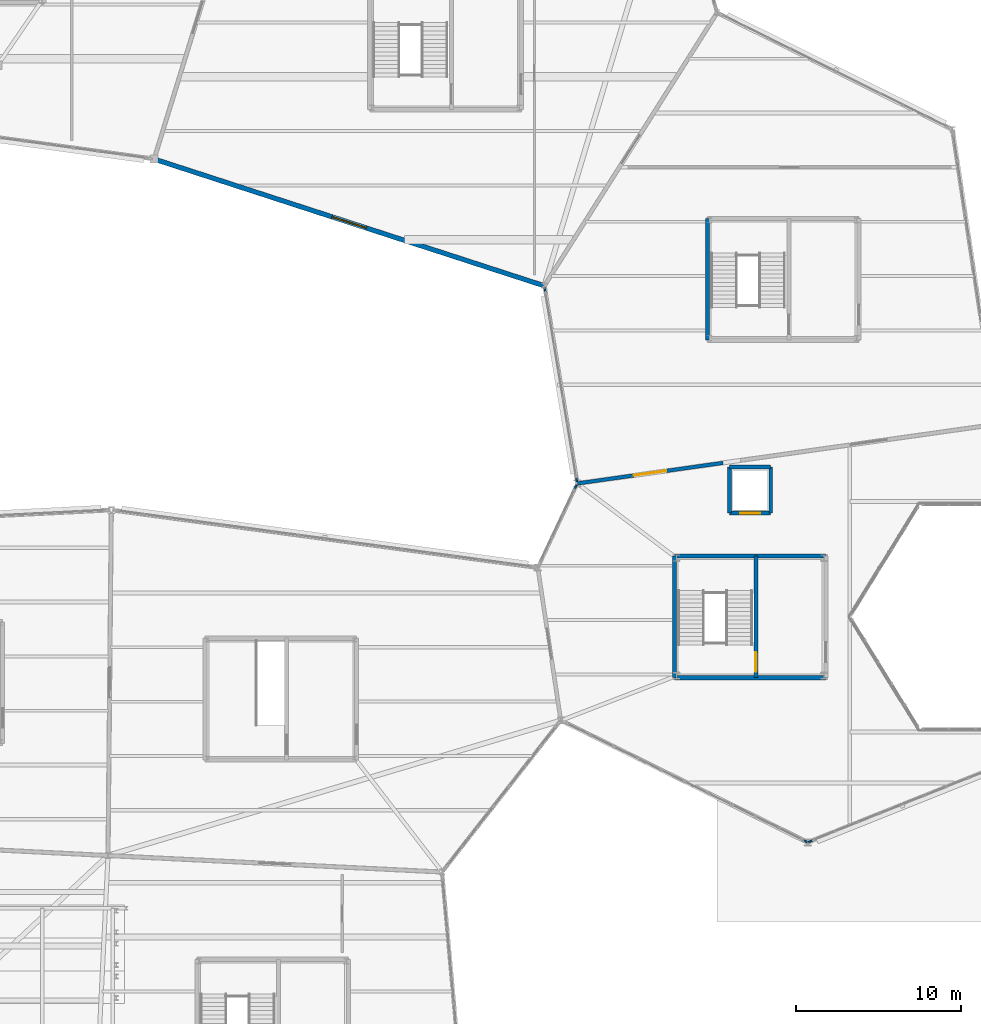
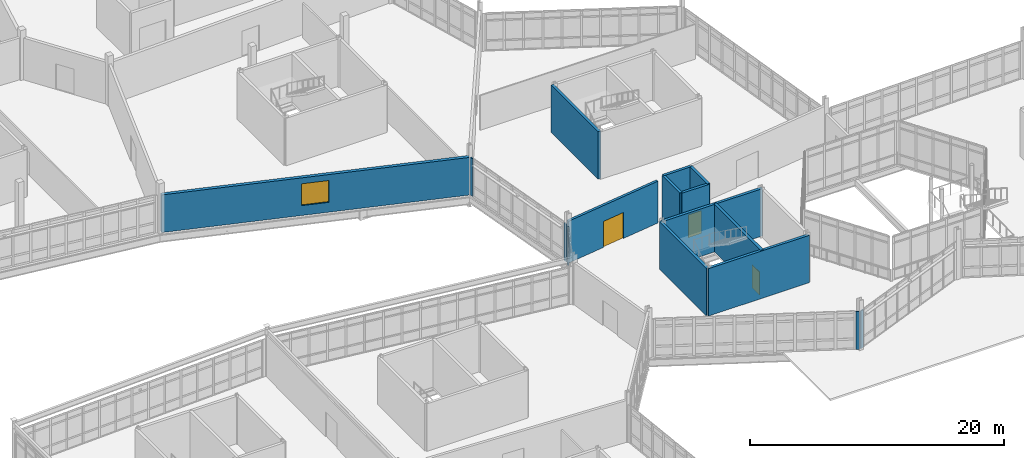
# One storey, part 107 of 134: 16 walls, 3 doors, 1 window, 4 openings.
"""IFC4 building model written with IfcOpenShell, lengths in metres."""

import ifcopenshell
import ifcopenshell.guid

model = None  # the IFC model being written
_history = None  # IfcOwnerHistory: only IFC2X3 demands one
_inside = {}  # id of a spatial element -> (the spatial element, [elements in it])
_under = {}  # id of a project, library or spatial element -> (it, [spatial elements below it])
_declared = {}  # id of a project -> (the project, [libraries it declares])
_typed = {}  # id of a type object -> (the type object, [elements of that type])
_made_of = {}  # id of a material, layer set ... -> (it, [elements and type objects made of it])


def new_model(schema):
    """Start an empty IFC model of exactly this schema.

    Asked for "IFC4X3", IfcOpenShell would pick the latest addendum, in which some entities
    have other attributes; the version numbers below select the first issue.
    IFC2X3 requires an IfcOwnerHistory on every rooted entity: one is made here for all.
    """
    global model, _history
    if schema == "IFC4X3":
        model = ifcopenshell.file(schema_version=(4, 3, 0, 0))
    else:
        model = ifcopenshell.file(schema=schema)
    _inside.clear()
    _under.clear()
    _declared.clear()
    _typed.clear()
    _made_of.clear()
    _history = None
    if model.schema == "IFC2X3":
        org = make("IfcOrganization", Name="unknown")
        user = make(
            "IfcPersonAndOrganization",
            ThePerson=make("IfcPerson", FamilyName="unknown"),
            TheOrganization=org,
        )
        app = make(
            "IfcApplication",
            ApplicationDeveloper=org,
            Version="unknown",
            ApplicationFullName="unknown",
            ApplicationIdentifier="unknown",
        )
        _history = make(
            "IfcOwnerHistory",
            OwningUser=user,
            OwningApplication=app,
            ChangeAction="ADDED",
            CreationDate=0,
        )
    return model


def make(cls, **values):
    """One entity of the class cls with the attributes given. An attribute that is None is left unset."""
    return model.create_entity(
        cls, **{name: value for name, value in values.items() if value is not None}
    )


def rooted(cls, **values):
    """An entity with a GlobalId (a new one), such as an element, a storey or a relation."""
    return make(cls, GlobalId=ifcopenshell.guid.new(), OwnerHistory=_history, **values)


def si_unit(unit_type, name, prefix=None):
    """IfcSIUnit, for example si_unit("LENGTHUNIT", "METRE", prefix="MILLI")."""
    return make("IfcSIUnit", UnitType=unit_type, Prefix=prefix, Name=name)


def assignment(units):
    """IfcUnitAssignment: the units of a project."""
    return None if units is None else make("IfcUnitAssignment", Units=units)


def point(xyz):
    """IfcCartesianPoint."""
    return None if xyz is None else make("IfcCartesianPoint", Coordinates=xyz)


def direction(xyz):
    """IfcDirection."""
    return None if xyz is None else make("IfcDirection", DirectionRatios=xyz)


def frame(location, z_axis=None, x_axis=None):
    """IfcAxis2Placement3D, a coordinate frame: its origin and axes. An axis left out is left unset."""
    return make(
        "IfcAxis2Placement3D",
        Location=point(location),
        Axis=direction(z_axis),
        RefDirection=direction(x_axis),
    )


def frame_2d(location, x_axis=None):
    """IfcAxis2Placement2D, a coordinate frame in the plane: its origin and x axis."""
    return make(
        "IfcAxis2Placement2D", Location=point(location), RefDirection=direction(x_axis)
    )


def origin():
    """The frame at (0, 0, 0) with its axes left unset."""
    return frame((0.0, 0.0, 0.0))


def place(relative_to, where):
    """IfcLocalPlacement: puts the frame where relative to a parent placement (None: the world)."""
    return make(
        "IfcLocalPlacement", PlacementRelTo=relative_to, RelativePlacement=where
    )


def context(
    kind, dimensions, precision=None, world=None, true_north=None, identifier=None
):
    """IfcGeometricRepresentationContext, for example the 3D "Model" context."""
    return make(
        "IfcGeometricRepresentationContext",
        ContextIdentifier=identifier,
        ContextType=kind,
        CoordinateSpaceDimension=dimensions,
        Precision=precision,
        WorldCoordinateSystem=world,
        TrueNorth=true_north,
    )


def subcontext(parent, identifier, kind, view, scale=None):
    """IfcGeometricRepresentationSubContext, for example "Body" below "Model"."""
    return make(
        "IfcGeometricRepresentationSubContext",
        ContextIdentifier=identifier,
        ContextType=kind,
        ParentContext=parent,
        TargetScale=scale,
        TargetView=view,
    )


def project(units=None, contexts=None):
    """IfcProject with its units and contexts."""
    return rooted(
        "IfcProject",
        Name="project",
        RepresentationContexts=contexts,
        UnitsInContext=assignment(units),
    )


def spatial(cls, under=None, at=None, **own):
    """A site, building, storey or space (cls), placed at a placement, below another one or the project."""
    s = rooted(cls, ObjectPlacement=at, **own)
    if under is not None:
        _under.setdefault(under.id(), (under, []))[1].append(s)
    return s


def profile(cls, at=None, kind="AREA", **sizes):
    """A parametric profile (cls). Its sizes go by their IFC names, for example OverallWidth=200.0."""
    return make(cls, ProfileType=kind, Position=at, **sizes)


def rectangle(**sizes):
    """IfcRectangleProfileDef."""
    return profile("IfcRectangleProfileDef", **sizes)


def extrude(swept, where, along, depth):
    """IfcExtrudedAreaSolid: the profile swept, set in the frame where, extruded along a direction by depth."""
    return make(
        "IfcExtrudedAreaSolid",
        SweptArea=swept,
        Position=where,
        ExtrudedDirection=direction(along),
        Depth=depth,
    )


def shape(context_of_items, identifier, shape_type, items):
    """IfcShapeRepresentation: the items that make up one representation, for example the "Body"."""
    return make(
        "IfcShapeRepresentation",
        ContextOfItems=context_of_items,
        RepresentationIdentifier=identifier,
        RepresentationType=shape_type,
        Items=items,
    )


def material(Name=None, Category=None):
    """IfcMaterial."""
    return make("IfcMaterial", Name=Name, Category=Category)


def layer(
    of_material, thickness, ventilated=None, Name=None, Category=None, Priority=None
):
    """IfcMaterialLayer: one layer of a wall or slab, of a material (None: an air gap)."""
    return make(
        "IfcMaterialLayer",
        Material=of_material,
        LayerThickness=thickness,
        IsVentilated=ventilated,
        Name=Name,
        Category=Category,
        Priority=Priority,
    )


def layer_set(layers, Name=None):
    """IfcMaterialLayerSet."""
    return make("IfcMaterialLayerSet", MaterialLayers=layers, LayerSetName=Name)


def made_of(thing, what):
    """Note that an element or type object is made of a material, layer set ...; save() writes the relation."""
    if what is not None:
        _made_of.setdefault(what.id(), (what, []))[1].append(thing)
    return thing


def type_object(cls, material=None, **own):
    """A type object (cls), such as IfcWallType, which elements share."""
    return made_of(rooted(cls, **own), material)


def element(
    cls,
    number,
    at=None,
    inside=None,
    cuts=None,
    type_object=None,
    material=None,
    context=None,
    identifier="Body",
    shape_type=None,
    held_by="IfcProductDefinitionShape",
    body=None,
    shapes=None,
    **own,
):
    """One element of the class cls, such as IfcWall. Its Tag is "e" and its number.

    at: its placement. inside: the storey or other place that contains it. cuts: it is an
    opening in that element (IfcRelVoidsElement). A single representation is given by context,
    identifier, shape_type and body (its items); several are given by shapes. held_by: the class
    of the entity that holds the representations. save() writes the other relations.
    """
    e = rooted(cls, Tag="e%d" % number, ObjectPlacement=at, **own)
    if body is not None:
        shapes = [shape(context, identifier, shape_type, body)]
    if shapes is not None:
        e.Representation = make(held_by, Representations=shapes)
    if inside is not None:
        _inside.setdefault(inside.id(), (inside, []))[1].append(e)
    if cuts is not None:
        rooted(
            "IfcRelVoidsElement", RelatingBuildingElement=cuts, RelatedOpeningElement=e
        )
    if type_object is not None:
        _typed.setdefault(type_object.id(), (type_object, []))[1].append(e)
    return made_of(e, material)


def fill(opening, filler):
    """IfcRelFillsElement: the door or window that sits in an opening."""
    return rooted(
        "IfcRelFillsElement",
        RelatingOpeningElement=opening,
        RelatedBuildingElement=filler,
    )


def aggregate(whole, parts):
    """IfcRelAggregates: a whole, such as a stair, and the parts it consists of."""
    return rooted("IfcRelAggregates", RelatingObject=whole, RelatedObjects=parts)


def save(model, path):
    """Write the relations noted so far, then the file.

    IfcRelAggregates (storeys below a building ...), IfcRelContainedInSpatialStructure (elements
    in a storey), IfcRelDefinesByType, IfcRelAssociatesMaterial and IfcRelDeclares: one each for
    every whole, place, type object, material and project.
    """
    for whole, parts in _under.values():
        aggregate(whole, parts)
    for where, things in _inside.values():
        rooted(
            "IfcRelContainedInSpatialStructure",
            RelatedElements=things,
            RelatingStructure=where,
        )
    for kind, things in _typed.values():
        rooted("IfcRelDefinesByType", RelatedObjects=things, RelatingType=kind)
    for what, things in _made_of.values():
        rooted("IfcRelAssociatesMaterial", RelatedObjects=things, RelatingMaterial=what)
    for by, libraries in _declared.values():
        rooted("IfcRelDeclares", RelatingContext=by, RelatedDefinitions=libraries)
    model.write(path)


model = new_model("IFC4")

# Units and contexts
model_context = context("Model", 3, precision=1e-05, world=origin(), true_north=direction((0.0, 1.0)))
body_context = subcontext(model_context, "Body", "Model", "MODEL_VIEW")
ifc_project = project(units=[si_unit("LENGTHUNIT", "METRE"), si_unit("AREAUNIT", "SQUARE_METRE"), si_unit("VOLUMEUNIT", "CUBIC_METRE"), si_unit("PLANEANGLEUNIT", "RADIAN"), si_unit("MASSUNIT", "GRAM", prefix="KILO")], contexts=[model_context])

# Site, building, storey
site_placement = place(None, origin())
site = spatial("IfcSite", under=ifc_project, at=site_placement, CompositionType="ELEMENT")
building_placement = place(site_placement, origin())
building = spatial("IfcBuilding", under=site, at=building_placement, Name="Tameran Prism Museum", CompositionType="ELEMENT")
storey_placement = place(building_placement, frame((0.0, 0.0, 5.39990234375)))
storey = spatial("IfcBuildingStorey", under=building, at=storey_placement, Name="L01", CompositionType="ELEMENT", Elevation=5.39990234375)

# Walls
ifc_material_1 = material(Name="Precast Concrete N40 (40 MPa)", Category="concrete")
ifc_layer_1 = layer(ifc_material_1, 0.094970703125)
ifc_layer_set_1 = layer_set([ifc_layer_1])
wall_type_1 = type_object("IfcWallType", Name="EW-CLOS-095", PredefinedType="SOLIDWALL", material=ifc_layer_set_1)
wall_1_placement = place(storey_placement, frame((65.9619140625, 22.819091796875, 0.0), z_axis=(0.0, 0.0, 1.0), x_axis=(-0.896952807524, 0.44212629539, 0.0)))
element("IfcWall", 1, at=wall_1_placement, inside=storey, type_object=wall_type_1, Name="Facade Corner Closure EW-0185", PredefinedType="SOLIDWALL", context=body_context, shape_type="SweptSolid", body=[
    extrude(rectangle(XDim=0.3076171875, YDim=0.094970703125, at=frame_2d((0.15380859375, 0.0))), origin(), (0.0, 0.0, 1.0), 3.6201171875),
])
wall_2_placement = place(storey_placement, frame((66.324951171875, 22.929931640625, 0.0), z_axis=(0.0, 0.0, 1.0), x_axis=(-0.928859130521, -0.370433145989, 0.0)))
element("IfcWall", 2, at=wall_2_placement, inside=storey, type_object=wall_type_1, Name="Facade Corner Closure EW-0188", PredefinedType="SOLIDWALL", context=body_context, shape_type="SweptSolid", body=[
    extrude(rectangle(XDim=0.307861328125, YDim=0.094970703125, at=frame_2d((0.15380859375, 0.0))), origin(), (0.0, 0.0, 1.0), 3.6201171875),
])
wall_3_placement = place(storey_placement, frame((51.824951171875, 44.22900390625, 0.0), z_axis=(0.0, 0.0, 1.0), x_axis=(0.425224932958, 0.905087706463, 0.0)))
element("IfcWall", 3, at=wall_3_placement, inside=storey, type_object=wall_type_1, Name="Facade Corner Closure EW-0190", PredefinedType="SOLIDWALL", context=body_context, shape_type="SweptSolid", body=[
    extrude(rectangle(XDim=0.308349609375, YDim=0.094970703125, at=frame_2d((0.154296875, 0.0))), origin(), (0.0, 0.0, 1.0), 3.6201171875),
])
for number, where, z_axis, x_axis, name in (
    (4, (51.98291015625, 44.699951171875, 0.0), (0.0, 0.0, 1.0), (-0.165554954509, 0.986200566334, 0.0), "Facade Corner Closure EW-0199"),
    (5, (50.068115234375, 56.196044921875, 0.0), (0.0, 0.0, 1.0), (-0.165554954509, 0.986200566334, 0.0), "Facade Corner Closure EW-0200"),
):
    element("IfcWall", number, at=place(storey_placement, frame(where, z_axis=z_axis, x_axis=x_axis)), inside=storey, type_object=wall_type_1, Name=name, PredefinedType="SOLIDWALL", context=body_context, shape_type="SweptSolid", body=[
        extrude(rectangle(XDim=0.30810546875, YDim=0.094970703125, at=frame_2d((0.154052734375, 0.0))), origin(), (0.0, 0.0, 1.0), 3.6201171875),
    ])

# Wall, opening, window
ifc_material_2 = material(Name="Precast Concrete N40 (40 MPa)", Category="concrete")
ifc_layer_2 = layer(ifc_material_2, 0.2900390625)
ifc_layer_set_2 = layer_set([ifc_layer_2])
wall_type_2 = type_object("IfcWallType", Name="EW-FOY-290", PredefinedType="SOLIDWALL", material=ifc_layer_set_2)
wall_4_placement = place(storey_placement, frame((49.943115234375, 56.618896484375, 0.0), z_axis=(0.0, 0.0, 1.0), x_axis=(-0.951074357174, 0.308962080402, 0.0)))
wall_4 = element("IfcWall", 6, at=wall_4_placement, inside=storey, type_object=wall_type_2, Name="Exterior Fluted Precast Wall EW-0251", PredefinedType="SOLIDWALL", context=body_context, shape_type="SweptSolid", body=[
    extrude(rectangle(XDim=24.799560546875, YDim=0.2900390625, at=frame_2d((12.39990234375, 0.0))), origin(), (0.0, 0.0, 1.0), 3.6201171875),
])
opening_1_placement = place(wall_4_placement, frame((11.300048828125, 0.0, 0.949951171875)))
opening_1 = element("IfcOpeningElement", 7, at=opening_1_placement, cuts=wall_4, Name="Opening W-008", PredefinedType="OPENING", context=body_context, shape_type="SweptSolid", body=[
    extrude(rectangle(XDim=2.199951171875, YDim=2.10009765625, at=frame_2d((1.10009765625, 1.050048828125))), frame((0.0, 0.155029296875, 0.0), z_axis=(0.0, -1.0, 0.0), x_axis=(1.0, 0.0, 0.0)), (0.0, 0.0, 1.0), 0.31005859375),
])
ifc_material_3 = material(Name="Cyclone Laminated Low-E Glass in 6063-T6 Frame", Category="glass")
window_type = type_object("IfcWindowType", Name="WIN-W08", PartitioningType="SINGLE_PANEL", PredefinedType="WINDOW", material=ifc_material_3)
window_placement = place(opening_1_placement, origin())
window = element("IfcWindow", 8, at=window_placement, inside=storey, type_object=window_type, Name="Solar-Shaded Window W-008", OverallHeight=2.10009765625, OverallWidth=2.199951171875, PartitioningType="SINGLE_PANEL", PredefinedType="WINDOW", context=body_context, shape_type="SweptSolid", body=[
    extrude(rectangle(XDim=2.199951171875, YDim=2.10009765625, at=frame_2d((1.10009765625, 1.050048828125))), frame((0.0, 0.030029296875, 0.0), z_axis=(0.0, -1.0, 0.0), x_axis=(1.0, 0.0, 0.0)), (0.0, 0.0, 1.0), 0.06005859375),
])
fill(opening_1, window)

# Wall, opening, door
ifc_material_4 = material(Name="Concrete N40 (40 MPa)", Category="concrete")
ifc_layer_3 = layer(ifc_material_4, 0.22509765625)
ifc_layer_set_3 = layer_set([ifc_layer_3])
wall_type_3 = type_object("IfcWallType", Name="IW-CMP-225", PredefinedType="SOLIDWALL", material=ifc_layer_set_3)
wall_5_placement = place(storey_placement, frame((60.85009765625, 45.84912109375, 0.0), z_axis=(0.0, 0.0, 1.0), x_axis=(-0.990187360524, -0.139746166523, 0.0)))
wall_5 = element("IfcWall", 9, at=wall_5_placement, inside=storey, type_object=wall_type_3, Name="Compartment Wall IW-0083", PredefinedType="SOLIDWALL", context=body_context, shape_type="SweptSolid", body=[
    extrude(rectangle(XDim=8.937744140625, YDim=0.22509765625, at=frame_2d((4.46875, 0.0))), origin(), (0.0, 0.0, 1.0), 4.02001953125),
])
opening_2_placement = place(wall_5_placement, frame((3.468994140625, 0.0, 0.0)))
opening_2 = element("IfcOpeningElement", 10, at=opening_2_placement, cuts=wall_5, Name="Opening ID-0082", PredefinedType="OPENING", context=body_context, shape_type="SweptSolid", body=[
    extrude(rectangle(XDim=2.0, YDim=2.5, at=frame_2d((1.0, 1.25))), frame((0.0, 0.12255859375, 0.0), z_axis=(0.0, -1.0, 0.0), x_axis=(1.0, 0.0, 0.0)), (0.0, 0.0, 1.0), 0.2451171875),
])
ifc_material_5 = material(Name="Fire-Rated Steel Door Leaf and Frame", Category="steel")
door_type_1 = type_object("IfcDoorType", Name="DR-GAL-200", OperationType="DOUBLE_DOOR_SINGLE_SWING", PredefinedType="DOOR", material=ifc_material_5)
door_1_placement = place(opening_2_placement, origin())
door_1 = element("IfcDoor", 11, at=door_1_placement, inside=storey, type_object=door_type_1, Name="Compartment Door ID-0082", OperationType="DOUBLE_DOOR_SINGLE_SWING", OverallHeight=2.5, OverallWidth=2.0, PredefinedType="DOOR", context=body_context, shape_type="SweptSolid", body=[
    extrude(rectangle(XDim=2.0, YDim=2.5, at=frame_2d((1.0, 1.25))), frame((0.0, 0.02490234375, 0.0), z_axis=(0.0, -1.0, 0.0), x_axis=(1.0, 0.0, 0.0)), (0.0, 0.0, 1.0), 0.050048828125),
])
fill(opening_2, door_1)

# Walls
ifc_material_6 = material(Name="Concrete N40 (40 MPa)", Category="concrete")
ifc_layer_4 = layer(ifc_material_6, 0.25)
ifc_layer_set_4 = layer_set([ifc_layer_4])
wall_type_4 = type_object("IfcWallType", Name="IW-COR-250", PredefinedType="SHEAR", material=ifc_layer_set_4)
wall_6_placement = place(storey_placement, frame((57.89990234375, 32.800048828125, 0.0), z_axis=(0.0, 0.0, 1.0), x_axis=(0.0, 1.0, 0.0)))
element("IfcWall", 12, at=wall_6_placement, inside=storey, type_object=wall_type_4, Name="Core Shear Wall CW-3-L01-W", PredefinedType="SHEAR", context=body_context, shape_type="SweptSolid", body=[
    extrude(rectangle(XDim=7.39990234375, YDim=0.25, at=frame_2d((3.699951171875, 0.0))), origin(), (0.0, 0.0, 1.0), 4.56005859375),
])
for number, where, z_axis, x_axis, name in (
    (13, (57.89990234375, 40.199951171875, 0.0), (0.0, 0.0, 1.0), (1.0, 0.0, 0.0), "Core Shear Wall CW-3-L01-N"),
    (14, (67.10009765625, 32.800048828125, 0.0), (0.0, 0.0, 1.0), (-1.0, 0.0, 0.0), "Core Shear Wall CW-3-L01-S"),
):
    element("IfcWall", number, at=place(storey_placement, frame(where, z_axis=z_axis, x_axis=x_axis)), inside=storey, type_object=wall_type_4, Name=name, PredefinedType="SHEAR", context=body_context, shape_type="SweptSolid", body=[
        extrude(rectangle(XDim=9.2001953125, YDim=0.25, at=frame_2d((4.60009765625, 0.0))), origin(), (0.0, 0.0, 1.0), 4.56005859375),
    ])

# Wall, opening, door
wall_7_placement = place(storey_placement, frame((62.85009765625, 40.199951171875, 0.0), z_axis=(0.0, 0.0, 1.0), x_axis=(0.0, -1.0, 0.0)))
wall_7 = element("IfcWall", 15, at=wall_7_placement, inside=storey, type_object=wall_type_4, Name="Core Shear Wall CW-3-L01-M", PredefinedType="SHEAR", context=body_context, shape_type="SweptSolid", body=[
    extrude(rectangle(XDim=7.39990234375, YDim=0.25, at=frame_2d((3.699951171875, 0.0))), origin(), (0.0, 0.0, 1.0), 4.56005859375),
])
opening_3_placement = place(wall_7_placement, frame((5.85009765625, 0.0, 0.0)))
opening_3 = element("IfcOpeningElement", 16, at=opening_3_placement, cuts=wall_7, Name="Opening FD-0216", PredefinedType="OPENING", context=body_context, shape_type="SweptSolid", body=[
    extrude(rectangle(XDim=1.199951171875, YDim=2.199951171875, at=frame_2d((0.60009765625, 1.10009765625))), frame((0.0, 0.135009765625, 0.0), z_axis=(0.0, -1.0, 0.0), x_axis=(1.0, 0.0, 0.0)), (0.0, 0.0, 1.0), 0.27001953125),
])
ifc_material_7 = material(Name="Fire-Rated Steel Door Leaf and Frame", Category="steel")
door_type_2 = type_object("IfcDoorType", Name="DR-FD-120A", OperationType="NOTDEFINED", PredefinedType="DOOR", material=ifc_material_7)
door_2_placement = place(opening_3_placement, origin())
door_2 = element("IfcDoor", 17, at=door_2_placement, inside=storey, type_object=door_type_2, Name="Core Fire Door FD-0216", OperationType="SINGLE_SWING_RIGHT", OverallHeight=2.199951171875, OverallWidth=1.199951171875, PredefinedType="DOOR", context=body_context, shape_type="SweptSolid", body=[
    extrude(rectangle(XDim=1.199951171875, YDim=2.199951171875, at=frame_2d((0.60009765625, 1.10009765625))), frame((0.0, 0.02490234375, 0.0), z_axis=(0.0, -1.0, 0.0), x_axis=(1.0, 0.0, 0.0)), (0.0, 0.0, 1.0), 0.050048828125),
])
fill(opening_3, door_2)

# Walls
wall_8_placement = place(storey_placement, frame((59.89990234375, 53.300048828125, 0.0), z_axis=(0.0, 0.0, 1.0), x_axis=(0.0, 1.0, 0.0)))
element("IfcWall", 18, at=wall_8_placement, inside=storey, type_object=wall_type_4, Name="Core Shear Wall CW-8-L01-W", PredefinedType="SHEAR", context=body_context, shape_type="SweptSolid", body=[
    extrude(rectangle(XDim=7.39990234375, YDim=0.25, at=frame_2d((3.699951171875, 0.0))), origin(), (0.0, 0.0, 1.0), 4.56005859375),
])
ifc_material_8 = material(Name="Concrete N40 (40 MPa)", Category="concrete")
ifc_layer_5 = layer(ifc_material_8, 0.239990234375)
ifc_layer_set_5 = layer_set([ifc_layer_5])
wall_type_5 = type_object("IfcWallType", Name="IW-LFT-240", PredefinedType="SHEAR", material=ifc_layer_set_5)
wall_9_placement = place(storey_placement, frame((61.25, 45.60009765625, 0.0), z_axis=(0.0, 0.0, 1.0), x_axis=(1.0, 0.0, 0.0)))
element("IfcWall", 19, at=wall_9_placement, inside=storey, type_object=wall_type_5, Name="Lift Shaft Wall LW-PL01-L01N", PredefinedType="SHEAR", context=body_context, shape_type="SweptSolid", body=[
    extrude(rectangle(XDim=2.5, YDim=0.239990234375, at=frame_2d((1.25, 0.0))), origin(), (0.0, 0.0, 1.0), 4.56005859375),
])
for number, where, z_axis, x_axis, name in (
    (20, (63.75, 45.60009765625, 0.0), (0.0, 0.0, 1.0), (0.0, -1.0, 0.0), "Lift Shaft Wall LW-PL01-L01E"),
    (21, (61.25, 42.800048828125, 0.0), (0.0, 0.0, 1.0), (0.0, 1.0, 0.0), "Lift Shaft Wall LW-PL01-L01W"),
):
    element("IfcWall", number, at=place(storey_placement, frame(where, z_axis=z_axis, x_axis=x_axis)), inside=storey, type_object=wall_type_5, Name=name, PredefinedType="SHEAR", context=body_context, shape_type="SweptSolid", body=[
        extrude(rectangle(XDim=2.800048828125, YDim=0.239990234375, at=frame_2d((1.39990234375, 0.0))), origin(), (0.0, 0.0, 1.0), 4.56005859375),
    ])

# Wall, opening, door
wall_10_placement = place(storey_placement, frame((63.75, 42.800048828125, 0.0), z_axis=(0.0, 0.0, 1.0), x_axis=(-1.0, 0.0, 0.0)))
wall_10 = element("IfcWall", 22, at=wall_10_placement, inside=storey, type_object=wall_type_5, Name="Lift Shaft Wall LW-PL01-L01S", PredefinedType="SHEAR", context=body_context, shape_type="SweptSolid", body=[
    extrude(rectangle(XDim=2.5, YDim=0.239990234375, at=frame_2d((1.25, 0.0))), origin(), (0.0, 0.0, 1.0), 4.56005859375),
])
opening_4_placement = place(wall_10_placement, frame((0.64990234375, 0.0, 0.0)))
opening_4 = element("IfcOpeningElement", 23, at=opening_4_placement, cuts=wall_10, Name="Opening LD-PL01-L01", PredefinedType="OPENING", context=body_context, shape_type="SweptSolid", body=[
    extrude(rectangle(XDim=1.199951171875, YDim=2.199951171875, at=frame_2d((0.60009765625, 1.10009765625))), frame((0.0, 0.1298828125, 0.0), z_axis=(0.0, -1.0, 0.0), x_axis=(1.0, 0.0, 0.0)), (0.0, 0.0, 1.0), 0.260009765625),
])
ifc_material_9 = material(Name="Fire-Rated Steel Door Leaf and Frame", Category="steel")
door_type_3 = type_object("IfcDoorType", Name="DR-LD-PL1", OperationType="SLIDING_TO_LEFT", PredefinedType="DOOR", material=ifc_material_9)
door_3_placement = place(opening_4_placement, origin())
door_3 = element("IfcDoor", 24, at=door_3_placement, inside=storey, type_object=door_type_3, Name="Passenger Lift PL-01 Landing Door L01", OperationType="SLIDING_TO_LEFT", OverallHeight=2.199951171875, OverallWidth=1.199951171875, PredefinedType="DOOR", context=body_context, shape_type="SweptSolid", body=[
    extrude(rectangle(XDim=1.199951171875, YDim=2.199951171875, at=frame_2d((0.60009765625, 1.10009765625))), frame((0.0, 0.02490234375, 0.0), z_axis=(0.0, -1.0, 0.0), x_axis=(1.0, 0.0, 0.0)), (0.0, 0.0, 1.0), 0.050048828125),
])
fill(opening_4, door_3)

save(model, "model.ifc")
